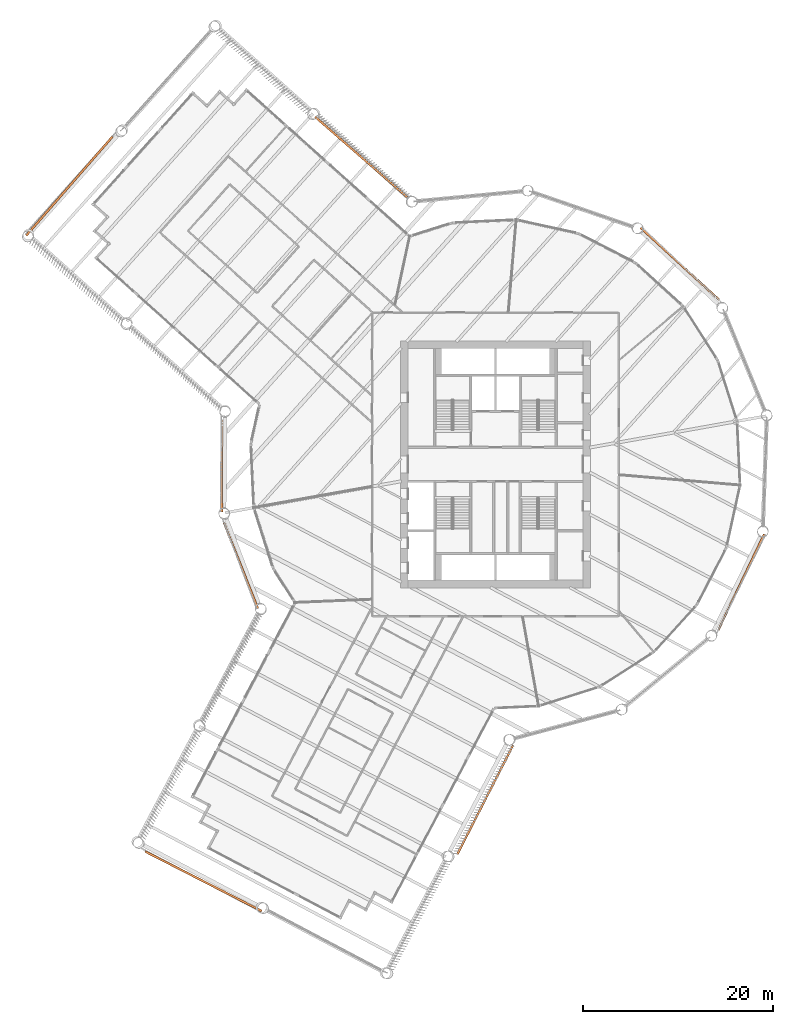
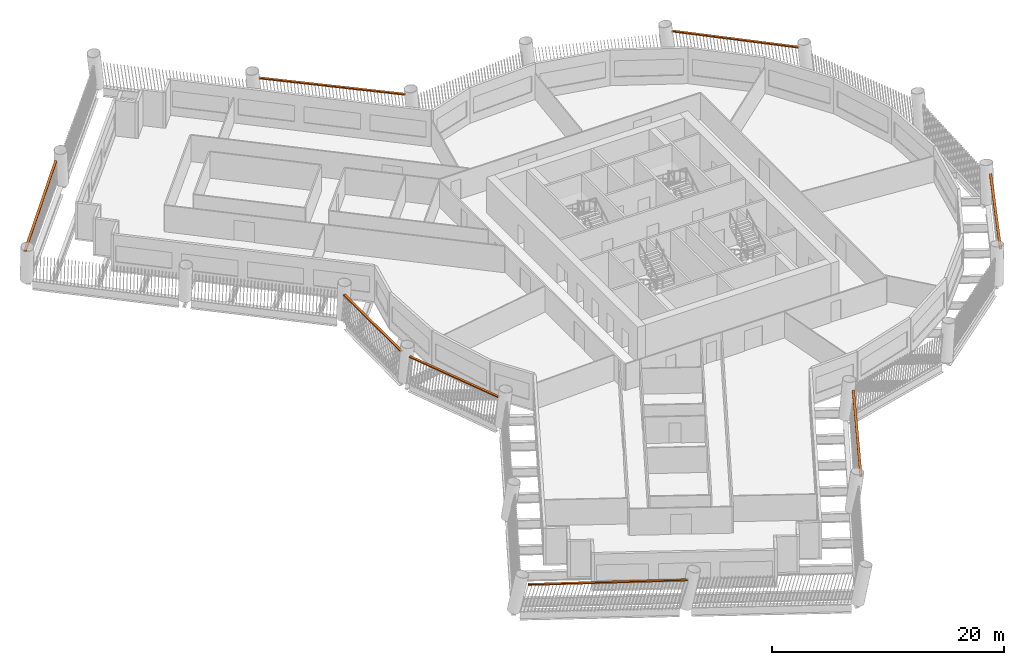
# One storey, part 16 of 16: 8 proxies.
"""IFC4 building model written with IfcOpenShell, lengths in metres."""

from ifc_helpers import new_model, si_unit, direction, frame, origin, origin_2d, place, context, subcontext, project, spatial, rectangle, extrude, material, type_object, element, save


model = new_model("IFC4")

# Units and contexts
model_context = context("Model", 3, precision=1e-05, world=origin(), true_north=direction((0.0, 1.0)))
body_context = subcontext(model_context, "Body", "Model", "MODEL_VIEW")
ifc_project = project(units=[si_unit("LENGTHUNIT", "METRE"), si_unit("AREAUNIT", "SQUARE_METRE"), si_unit("VOLUMEUNIT", "CUBIC_METRE"), si_unit("PLANEANGLEUNIT", "RADIAN"), si_unit("MASSUNIT", "GRAM", prefix="KILO")], contexts=[model_context])

# Site, building, storey
site_placement = place(None, origin())
site = spatial("IfcSite", under=ifc_project, at=site_placement, CompositionType="ELEMENT")
building_placement = place(site_placement, origin())
building = spatial("IfcBuilding", under=site, at=building_placement, Name="Tarsis Ring Headquarters", CompositionType="ELEMENT")
storey_placement = place(building_placement, frame((0.0, 0.0, 96.699951171875)))
storey = spatial("IfcBuildingStorey", under=building, at=storey_placement, Name="L21", CompositionType="ELEMENT", Elevation=96.699951171875)

# Proxies
ifc_material = material(Name="Structural steel S355", Category="steel")
building_element_proxy_type = type_object("IfcBuildingElementProxyType", Name="Screen bracket plate", PredefinedType="USERDEFINED", material=ifc_material)
proxy_1_placement = place(storey_placement, frame((-26.84033203125, -10.62939453125, 2.95263671875), z_axis=(0.0, 0.0, 1.0), x_axis=(0.368205348819, -0.929744492375, 0.0)))
element("IfcBuildingElementProxy", 1, at=proxy_1_placement, inside=storey, type_object=building_element_proxy_type, Name="Screen bracket L21-00", ObjectType="Bracket", PredefinedType="USERDEFINED", context=body_context, shape_type="SweptSolid", body=[
    extrude(rectangle(XDim=9.771728515625, YDim=0.222900390625, at=origin_2d()), origin(), (0.0, 0.0, 1.0), 0.1201171875),
])
proxy_2_placement = place(storey_placement, frame((-30.7724609375, -43.930908203125, 2.95263671875), z_axis=(0.0, 0.0, 1.0), x_axis=(0.890371773489, -0.455234121057, 0.0)))
element("IfcBuildingElementProxy", 2, at=proxy_2_placement, inside=storey, type_object=building_element_proxy_type, Name="Screen bracket L21-03", ObjectType="Bracket", PredefinedType="USERDEFINED", context=body_context, shape_type="SweptSolid", body=[
    extrude(rectangle(XDim=13.800048828125, YDim=0.222900390625, at=origin_2d()), origin(), (0.0, 0.0, 1.0), 0.1201171875),
])
proxy_3_placement = place(storey_placement, frame((-1.07763671875, -35.3291015625, 2.95263671875), z_axis=(0.0, 0.0, 1.0), x_axis=(0.455234152137, 0.890371757598, 0.0)))
element("IfcBuildingElementProxy", 3, at=proxy_3_placement, inside=storey, type_object=building_element_proxy_type, Name="Screen bracket L21-06", ObjectType="Bracket", PredefinedType="USERDEFINED", context=body_context, shape_type="SweptSolid", body=[
    extrude(rectangle(XDim=12.90234375, YDim=0.222900390625, at=origin_2d()), origin(), (0.0, 0.0, 1.0), 0.1201171875),
])
for number, where, z_axis, x_axis, name in (
    (4, (25.901123046875, -12.40625, 2.95263671875), (0.0, 0.0, 1.0), (0.431987245637, 0.9018797146, 0.0), "Screen bracket L21-09"),
    (5, (19.4267578125, 21.151611328125, 2.95263671875), (0.0, 0.0, 1.0), (-0.736495554188, 0.676442383845, 0.0), "Screen bracket L21-12"),
):
    element("IfcBuildingElementProxy", number, at=place(storey_placement, frame(where, z_axis=z_axis, x_axis=x_axis)), inside=storey, type_object=building_element_proxy_type, Name=name, ObjectType="Bracket", PredefinedType="USERDEFINED", context=body_context, shape_type="SweptSolid", body=[
        extrude(rectangle(XDim=11.248779296875, YDim=0.222900390625, at=origin_2d()), origin(), (0.0, 0.0, 1.0), 0.1201171875),
    ])
proxy_4_placement = place(storey_placement, frame((-14.143310546875, 32.392578125, 2.95263671875), z_axis=(0.0, 0.0, 1.0), x_axis=(-0.753792825105, 0.657112149347, 0.0)))
element("IfcBuildingElementProxy", 6, at=proxy_4_placement, inside=storey, type_object=building_element_proxy_type, Name="Screen bracket L21-15", ObjectType="Bracket", PredefinedType="USERDEFINED", context=body_context, shape_type="SweptSolid", body=[
    extrude(rectangle(XDim=12.90234375, YDim=0.222900390625, at=origin_2d()), origin(), (0.0, 0.0, 1.0), 0.1201171875),
])
proxy_5_placement = place(storey_placement, frame((-44.90673828125, 29.330078125, 2.95263671875), z_axis=(0.0, 0.0, 1.0), x_axis=(-0.657112188816, -0.753792790699, 0.0)))
element("IfcBuildingElementProxy", 7, at=proxy_5_placement, inside=storey, type_object=building_element_proxy_type, Name="Screen bracket L21-18", ObjectType="Bracket", PredefinedType="USERDEFINED", context=body_context, shape_type="SweptSolid", body=[
    extrude(rectangle(XDim=13.800048828125, YDim=0.222900390625, at=origin_2d()), origin(), (0.0, 0.0, 1.0), 0.1201171875),
])
proxy_6_placement = place(storey_placement, frame((-28.8681640625, -0.118408203125, 2.95263671875), z_axis=(0.0, 0.0, 1.0), x_axis=(0.004101861305, -0.999991587332, 0.0)))
element("IfcBuildingElementProxy", 8, at=proxy_6_placement, inside=storey, type_object=building_element_proxy_type, Name="Screen bracket L21-21", ObjectType="Bracket", PredefinedType="USERDEFINED", context=body_context, shape_type="SweptSolid", body=[
    extrude(rectangle(XDim=9.771728515625, YDim=0.222900390625, at=origin_2d()), origin(), (0.0, 0.0, 1.0), 0.1201171875),
])

save(model, "model.ifc")
